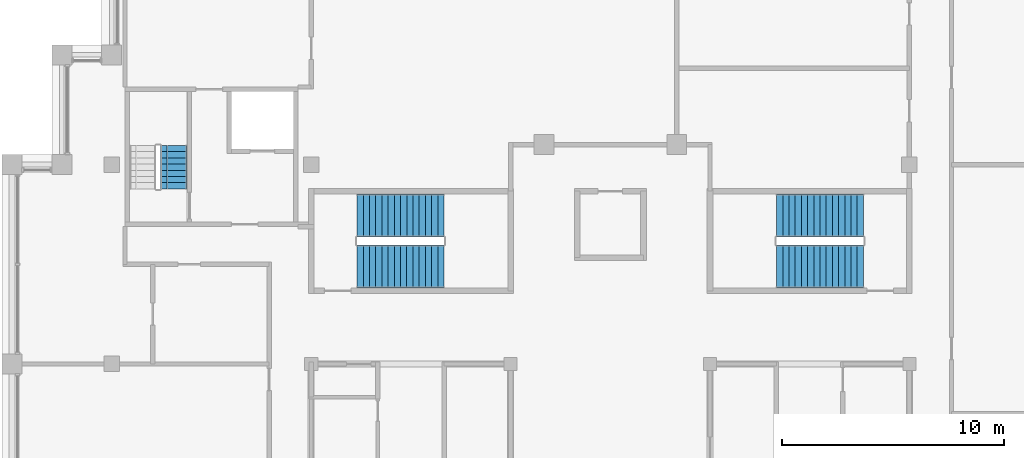
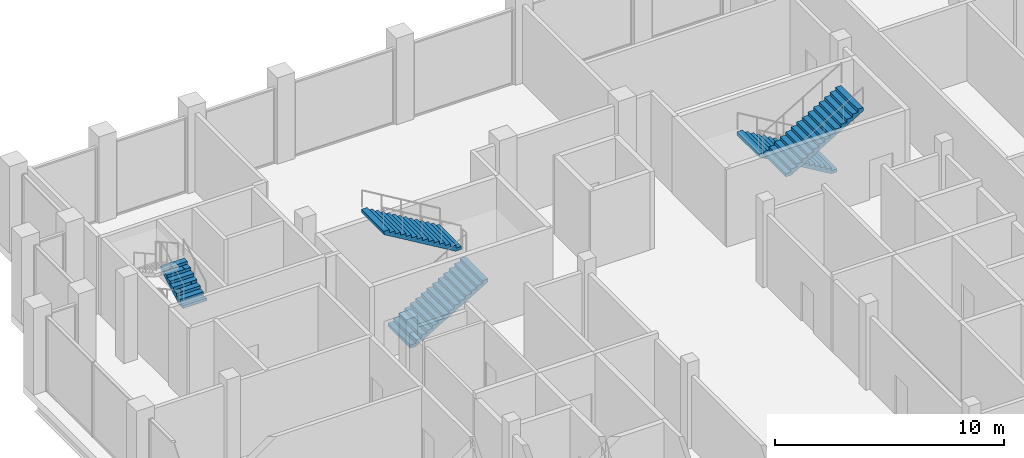
# One storey, part 12 of 13: 5 stair flights, 3 elements without a shape of their own.
"""IFC4 building model written with IfcOpenShell, lengths in metres."""

from ifc_helpers import new_model, si_unit, direction, frame, origin, place, context, subcontext, project, spatial, polyline, outline, extrude, material, type_object, element, aggregate, save


model = new_model("IFC4")

# Units and contexts
model_context = context("Model", 3, precision=1e-05, world=origin(), true_north=direction((0.0, 1.0)))
body_context = subcontext(model_context, "Body", "Model", "MODEL_VIEW")
ifc_project = project(units=[si_unit("LENGTHUNIT", "METRE"), si_unit("AREAUNIT", "SQUARE_METRE"), si_unit("VOLUMEUNIT", "CUBIC_METRE"), si_unit("PLANEANGLEUNIT", "RADIAN"), si_unit("MASSUNIT", "GRAM", prefix="KILO")], contexts=[model_context])

# Site, building, storey
site_placement = place(None, origin())
site = spatial("IfcSite", under=ifc_project, at=site_placement, CompositionType="ELEMENT")
building_placement = place(site_placement, origin())
building = spatial("IfcBuilding", under=site, at=building_placement, Name="Corbelhall Arena Tower", CompositionType="ELEMENT")
storey_placement = place(building_placement, frame((0.0, 0.0, 361.0)))
storey = spatial("IfcBuildingStorey", under=building, at=storey_placement, Name="L79", CompositionType="ELEMENT", Elevation=361.0)

# Stair, stair flights
ifc_material = material(Name="Concrete C40/50", Category="concrete")
stair_type = type_object("IfcStairType", Name="IN-ST-TOWER", PredefinedType="HALF_TURN_STAIR", material=ifc_material)
stair_1_placement = place(storey_placement, origin())
stair_1 = element("IfcStair", 1, at=stair_1_placement, inside=storey, type_object=stair_type, Name="L79 Exit stair ST1", PredefinedType="HALF_TURN_STAIR")
stair_flight_type = type_object("IfcStairFlightType", Name="IN-SFL-RC", PredefinedType="STRAIGHT", material=ifc_material)
stair_flight_1_placement = place(storey_placement, frame((-11.425048828125, 13.39990234375, 0.0), z_axis=(0.0, 0.0, 1.0), x_axis=(1.0, 0.0, 0.0)))
stair_flight_1 = element("IfcStairFlight", 2, at=stair_flight_1_placement, type_object=stair_flight_type, Name="ST1 flight 1", NumberOfRisers=15, NumberOfTreads=14, PredefinedType="STRAIGHT", RiserHeight=0.166666667, TreadLength=0.28, context=body_context, shape_type="SweptSolid", body=[
    extrude(outline(polyline([(0.0, 0.0), (0.0, 0.166748046875), (0.280029296875, 0.166748046875), (0.280029296875, 0.333251953125), (0.56005859375, 0.333251953125), (0.56005859375, 0.5), (0.840087890625, 0.5), (0.840087890625, 0.666748046875), (1.1201171875, 0.666748046875), (1.1201171875, 0.833251953125), (1.39990234375, 0.833251953125), (1.39990234375, 1.0), (1.679931640625, 1.0), (1.679931640625, 1.166748046875), (1.9599609375, 1.166748046875), (1.9599609375, 1.333251953125), (2.239990234375, 1.333251953125), (2.239990234375, 1.5), (2.52001953125, 1.5), (2.52001953125, 1.666748046875), (2.800048828125, 1.666748046875), (2.800048828125, 1.833251953125), (3.080078125, 1.833251953125), (3.080078125, 2.0), (3.360107421875, 2.0), (3.360107421875, 2.166748046875), (3.639892578125, 2.166748046875), (3.639892578125, 2.333251953125), (3.919921875, 2.333251953125), (3.919921875, 2.5), (3.919921875, 2.158935546875), (0.29296875, 0.0), (0.0, 0.0)])), frame((0.0, 0.97509765625, 0.0), z_axis=(0.0, -1.0, 0.0), x_axis=(1.0, 0.0, 0.0)), (0.0, 0.0, 1.0), 1.949951171875),
])
stair_flight_2_placement = place(storey_placement, frame((-7.5048828125, 15.699951171875, 2.5), z_axis=(0.0, 0.0, 1.0), x_axis=(-1.0, 0.0, 0.0)))
stair_flight_2 = element("IfcStairFlight", 3, at=stair_flight_2_placement, type_object=stair_flight_type, Name="ST1 flight 2", NumberOfRisers=15, NumberOfTreads=14, PredefinedType="STRAIGHT", RiserHeight=0.166666667, TreadLength=0.28, context=body_context, shape_type="SweptSolid", body=[
    extrude(outline(polyline([(0.0, 0.0), (0.0, 0.166748046875), (0.280029296875, 0.166748046875), (0.280029296875, 0.333251953125), (0.56005859375, 0.333251953125), (0.56005859375, 0.5), (0.840087890625, 0.5), (0.840087890625, 0.666748046875), (1.1201171875, 0.666748046875), (1.1201171875, 0.833251953125), (1.39990234375, 0.833251953125), (1.39990234375, 1.0), (1.679931640625, 1.0), (1.679931640625, 1.166748046875), (1.9599609375, 1.166748046875), (1.9599609375, 1.333251953125), (2.239990234375, 1.333251953125), (2.239990234375, 1.5), (2.52001953125, 1.5), (2.52001953125, 1.666748046875), (2.800048828125, 1.666748046875), (2.800048828125, 1.833251953125), (3.080078125, 1.833251953125), (3.080078125, 2.0), (3.360107421875, 2.0), (3.360107421875, 2.166748046875), (3.639892578125, 2.166748046875), (3.639892578125, 2.333251953125), (3.919921875, 2.333251953125), (3.919921875, 2.5), (3.919921875, 2.158935546875), (0.29296875, 0.0), (0.0, 0.0)])), frame((0.0, 0.97509765625, 0.0), z_axis=(0.0, -1.0, 0.0), x_axis=(1.0, 0.0, 0.0)), (0.0, 0.0, 1.0), 1.949951171875),
])
aggregate(stair_1, [stair_flight_1, stair_flight_2])

stair_2_placement = place(storey_placement, origin())
stair_2 = element("IfcStair", 4, at=stair_2_placement, inside=storey, type_object=stair_type, Name="L79 Exit stair ST3", PredefinedType="HALF_TURN_STAIR")
stair_flight_3_placement = place(storey_placement, frame((11.425048828125, 15.699951171875, 0.0), z_axis=(0.0, 0.0, 1.0), x_axis=(-1.0, 0.0, 0.0)))
stair_flight_3 = element("IfcStairFlight", 5, at=stair_flight_3_placement, type_object=stair_flight_type, Name="ST3 flight 1", NumberOfRisers=15, NumberOfTreads=14, PredefinedType="STRAIGHT", RiserHeight=0.166666667, TreadLength=0.28, context=body_context, shape_type="SweptSolid", body=[
    extrude(outline(polyline([(0.0, 0.0), (0.0, 0.166748046875), (0.280029296875, 0.166748046875), (0.280029296875, 0.333251953125), (0.56005859375, 0.333251953125), (0.56005859375, 0.5), (0.840087890625, 0.5), (0.840087890625, 0.666748046875), (1.1201171875, 0.666748046875), (1.1201171875, 0.833251953125), (1.39990234375, 0.833251953125), (1.39990234375, 1.0), (1.679931640625, 1.0), (1.679931640625, 1.166748046875), (1.9599609375, 1.166748046875), (1.9599609375, 1.333251953125), (2.239990234375, 1.333251953125), (2.239990234375, 1.5), (2.52001953125, 1.5), (2.52001953125, 1.666748046875), (2.800048828125, 1.666748046875), (2.800048828125, 1.833251953125), (3.080078125, 1.833251953125), (3.080078125, 2.0), (3.360107421875, 2.0), (3.360107421875, 2.166748046875), (3.639892578125, 2.166748046875), (3.639892578125, 2.333251953125), (3.919921875, 2.333251953125), (3.919921875, 2.5), (3.919921875, 2.158935546875), (0.29296875, 0.0), (0.0, 0.0)])), frame((0.0, 0.97509765625, 0.0), z_axis=(0.0, -1.0, 0.0), x_axis=(1.0, 0.0, 0.0)), (0.0, 0.0, 1.0), 1.949951171875),
])
stair_flight_4_placement = place(storey_placement, frame((7.5048828125, 13.39990234375, 2.5), z_axis=(0.0, 0.0, 1.0), x_axis=(1.0, 0.0, 0.0)))
stair_flight_4 = element("IfcStairFlight", 6, at=stair_flight_4_placement, type_object=stair_flight_type, Name="ST3 flight 2", NumberOfRisers=15, NumberOfTreads=14, PredefinedType="STRAIGHT", RiserHeight=0.166666667, TreadLength=0.28, context=body_context, shape_type="SweptSolid", body=[
    extrude(outline(polyline([(0.0, 0.0), (0.0, 0.166748046875), (0.280029296875, 0.166748046875), (0.280029296875, 0.333251953125), (0.56005859375, 0.333251953125), (0.56005859375, 0.5), (0.840087890625, 0.5), (0.840087890625, 0.666748046875), (1.1201171875, 0.666748046875), (1.1201171875, 0.833251953125), (1.39990234375, 0.833251953125), (1.39990234375, 1.0), (1.679931640625, 1.0), (1.679931640625, 1.166748046875), (1.9599609375, 1.166748046875), (1.9599609375, 1.333251953125), (2.239990234375, 1.333251953125), (2.239990234375, 1.5), (2.52001953125, 1.5), (2.52001953125, 1.666748046875), (2.800048828125, 1.666748046875), (2.800048828125, 1.833251953125), (3.080078125, 1.833251953125), (3.080078125, 2.0), (3.360107421875, 2.0), (3.360107421875, 2.166748046875), (3.639892578125, 2.166748046875), (3.639892578125, 2.333251953125), (3.919921875, 2.333251953125), (3.919921875, 2.5), (3.919921875, 2.158935546875), (0.29296875, 0.0), (0.0, 0.0)])), frame((0.0, 0.97509765625, 0.0), z_axis=(0.0, -1.0, 0.0), x_axis=(1.0, 0.0, 0.0)), (0.0, 0.0, 1.0), 1.949951171875),
])
aggregate(stair_2, [stair_flight_3, stair_flight_4])

# Stair, stair flight
stair_3_placement = place(storey_placement, origin())
stair_3 = element("IfcStair", 7, at=stair_3_placement, inside=storey, type_object=stair_type, Name="L79 Exit stair ST5", PredefinedType="HALF_TURN_STAIR")
stair_flight_5_placement = place(storey_placement, frame((-19.695068359375, 16.89990234375, 2.5), z_axis=(0.0, 0.0, 1.0), x_axis=(0.0, 1.0, 0.0)))
stair_flight_5 = element("IfcStairFlight", 8, at=stair_flight_5_placement, type_object=stair_flight_type, Name="ST5 flight 3", NumberOfRisers=8, NumberOfTreads=7, PredefinedType="STRAIGHT", RiserHeight=0.15625, TreadLength=0.28, context=body_context, shape_type="SweptSolid", body=[
    extrude(outline(polyline([(0.0, 0.0), (0.0, 0.15625), (0.280029296875, 0.15625), (0.280029296875, 0.3125), (0.56005859375, 0.3125), (0.56005859375, 0.46875), (0.840087890625, 0.46875), (0.840087890625, 0.625), (1.1201171875, 0.625), (1.1201171875, 0.78125), (1.39990234375, 0.78125), (1.39990234375, 0.9375), (1.679931640625, 0.9375), (1.679931640625, 1.09375), (1.9599609375, 1.09375), (1.9599609375, 1.25), (1.9599609375, 0.922119140625), (0.3076171875, 0.0), (0.0, 0.0)])), frame((0.0, 0.60009765625, 0.0), z_axis=(0.0, -1.0, 0.0), x_axis=(1.0, 0.0, 0.0)), (0.0, 0.0, 1.0), 0.300048828125),
    extrude(outline(polyline([(0.0, 0.0), (0.0, 0.15625), (0.280029296875, 0.15625), (0.280029296875, 0.3125), (0.56005859375, 0.3125), (0.56005859375, 0.46875), (0.840087890625, 0.46875), (0.840087890625, 0.625), (1.1201171875, 0.625), (1.1201171875, 0.78125), (1.39990234375, 0.78125), (1.39990234375, 0.9375), (1.679931640625, 0.9375), (1.679931640625, 1.09375), (1.9599609375, 1.09375), (1.9599609375, 1.25), (1.9599609375, 0.922119140625), (0.3076171875, 0.0), (0.0, 0.0)])), frame((0.0, 0.2958984375, 0.0), z_axis=(0.0, -1.0, 0.0), x_axis=(1.0, 0.0, 0.0)), (0.0, 0.0, 1.0), 0.592041015625),
    extrude(outline(polyline([(0.0, 0.0), (0.0, 0.15625), (0.280029296875, 0.15625), (0.280029296875, 0.3125), (0.56005859375, 0.3125), (0.56005859375, 0.46875), (0.840087890625, 0.46875), (0.840087890625, 0.625), (1.1201171875, 0.625), (1.1201171875, 0.78125), (1.39990234375, 0.78125), (1.39990234375, 0.9375), (1.679931640625, 0.9375), (1.679931640625, 1.09375), (1.9599609375, 1.09375), (1.9599609375, 1.25), (1.9599609375, 0.922119140625), (0.3076171875, 0.0), (0.0, 0.0)])), frame((0.0, -0.300048828125, 0.0), z_axis=(0.0, -1.0, 0.0), x_axis=(1.0, 0.0, 0.0)), (0.0, 0.0, 1.0), 0.300048828125),
])
aggregate(stair_3, [stair_flight_5])

save(model, "model.ifc")
